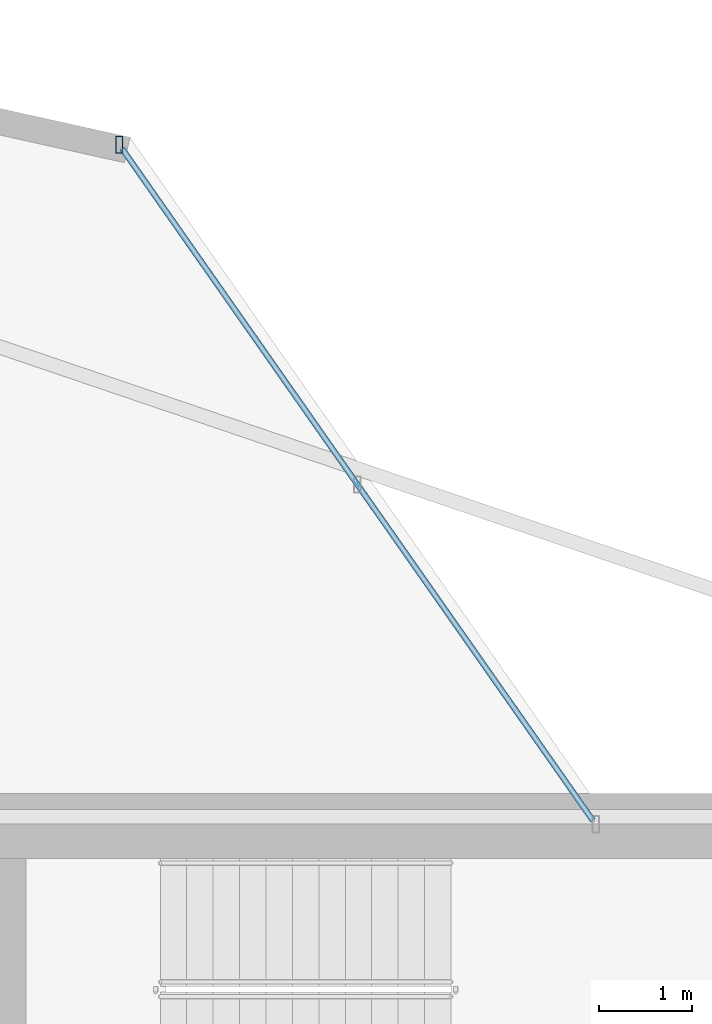
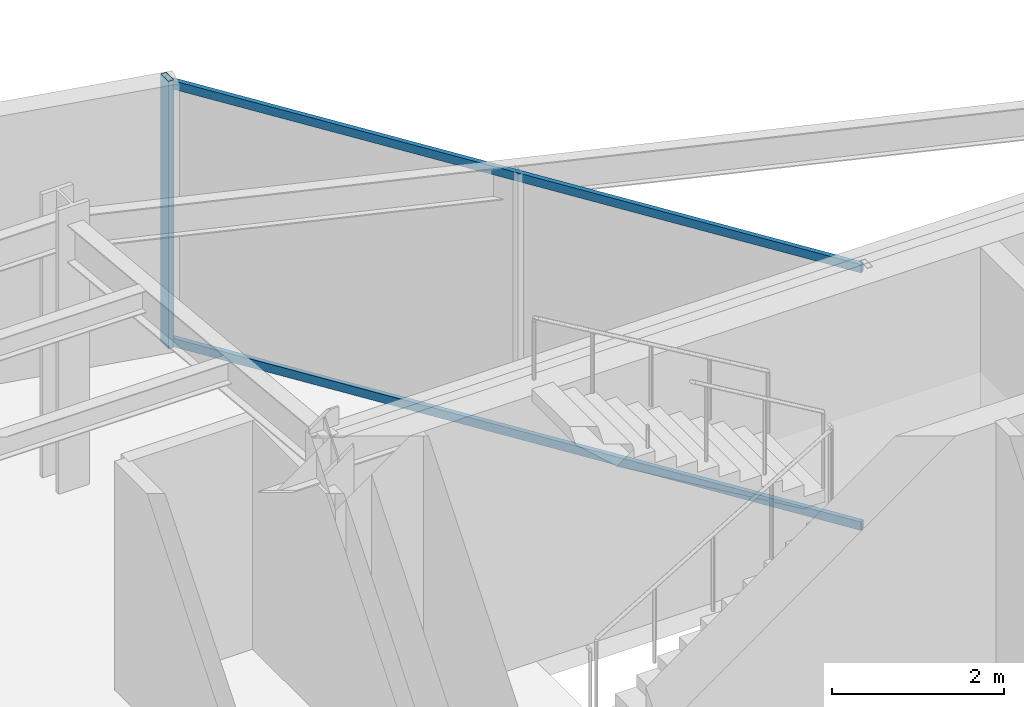
# One storey, part 12 of 24: 3 members, 1 element without a shape of its own.
"""IFC4 building model written with IfcOpenShell, lengths in metres."""

from ifc_helpers import new_model, si_unit, direction, frame, origin, origin_2d, place, context, subcontext, project, spatial, hollow_rectangle, extrude, material, layer, layer_set, material_profile, profile_set, type_object, element, aggregate, save


model = new_model("IFC4")

# Units and contexts
model_context = context("Model", 3, precision=1e-05, world=origin(), true_north=direction((0.0, 1.0)))
body_context = subcontext(model_context, "Body", "Model", "MODEL_VIEW")
ifc_project = project(units=[si_unit("LENGTHUNIT", "METRE"), si_unit("AREAUNIT", "SQUARE_METRE"), si_unit("VOLUMEUNIT", "CUBIC_METRE"), si_unit("PLANEANGLEUNIT", "RADIAN"), si_unit("MASSUNIT", "GRAM", prefix="KILO")], contexts=[model_context])

# Site, building, storey
site_placement = place(None, origin())
site = spatial("IfcSite", under=ifc_project, at=site_placement, CompositionType="ELEMENT")
building_placement = place(site_placement, origin())
building = spatial("IfcBuilding", under=site, at=building_placement, Name="Veymaron Broadcast Tower", CompositionType="ELEMENT")
storey_placement = place(building_placement, frame((0.0, 0.0, 220.199951171875)))
storey = spatial("IfcBuildingStorey", under=building, at=storey_placement, Name="L51", CompositionType="ELEMENT", Elevation=220.199951171875)

# Curtain wall, members
ifc_material_1 = material(Name="Anodised aluminium AA 6063-T6 and laminated low-E dark glass", Category="aluminium")
ifc_layer = layer(ifc_material_1, 0.179931640625)
ifc_layer_set = layer_set([ifc_layer], Name="Anodised aluminium AA 6063-T6 and laminated low-E dark glass")
curtain_wall_type = type_object("IfcCurtainWallType", Name="CW-SYS-05", PredefinedType="NOTDEFINED", material=ifc_layer_set)
curtain_wall_placement = place(storey_placement, origin())
curtain_wall = element("IfcCurtainWall", 1, at=curtain_wall_placement, inside=storey, type_object=curtain_wall_type, Name="L51 dark-glass curtain wall CW-L51-E5-1", PredefinedType="NOTDEFINED")
ifc_material_2 = material(Name="Anodised aluminium AA 6063-T6", Category="aluminium")
ifc_material_profile_1 = material_profile(ifc_material_2, hollow_rectangle(XDim=0.074951171875, YDim=0.179931640625, WallThickness=0.0048828125, at=origin_2d()), Name="AL180X75X5")
ifc_profile_set_1 = profile_set([ifc_material_profile_1], Name="Anodised aluminium AA 6063-T6")
member_type_1 = type_object("IfcMemberType", Name="CW-MUL-02", PredefinedType="MULLION", material=ifc_profile_set_1)
member_1_placement = place(storey_placement, frame((40.98779296875, 39.249755859375, 0.0), z_axis=(0.0, 0.0, 1.0), x_axis=(1.0, 0.0, 0.0)))
member_1 = element("IfcMember", 2, at=member_1_placement, type_object=member_type_1, Name="CW-L51-E5-1 mullion 2", PredefinedType="MULLION", context=body_context, shape_type="SweptSolid", body=[
    extrude(hollow_rectangle(XDim=0.074951171875, YDim=0.179931640625, WallThickness=0.0048828125, at=origin_2d()), origin(), (0.0, 0.0, 1.0), 3.7900390625),
])
ifc_material_profile_2 = material_profile(ifc_material_2, hollow_rectangle(XDim=0.06005859375, YDim=0.1201171875, WallThickness=0.00390625, at=origin_2d()), Name="AL120X60X4")
ifc_profile_set_2 = profile_set([ifc_material_profile_2], Name="Anodised aluminium AA 6063-T6")
member_type_2 = type_object("IfcMemberType", Name="CW-TRN-02", PredefinedType="USERDEFINED", material=ifc_profile_set_2)
member_2_placement = place(storey_placement, frame((46.095947265625, 31.960693359375, 0.070068359375), z_axis=(-0.573913969327, 0.81891559749, 0.0), x_axis=(-0.81891559749, -0.573913969327, 0.0)))
member_2 = element("IfcMember", 3, at=member_2_placement, type_object=member_type_2, Name="CW-L51-E5-1 transom B", ObjectType="TRANSOM", PredefinedType="USERDEFINED", context=body_context, shape_type="SweptSolid", body=[
    extrude(hollow_rectangle(XDim=0.06005859375, YDim=0.1201171875, WallThickness=0.00390625, at=origin_2d()), origin(), (0.0, 0.0, 1.0), 8.850830078125),
])
member_3_placement = place(storey_placement, frame((46.095947265625, 31.960693359375, 3.719970703125), z_axis=(-0.573913969327, 0.81891559749, 0.0), x_axis=(-0.81891559749, -0.573913969327, 0.0)))
member_3 = element("IfcMember", 4, at=member_3_placement, type_object=member_type_2, Name="CW-L51-E5-1 transom T", ObjectType="TRANSOM", PredefinedType="USERDEFINED", context=body_context, shape_type="SweptSolid", body=[
    extrude(hollow_rectangle(XDim=0.06005859375, YDim=0.1201171875, WallThickness=0.00390625, at=origin_2d()), origin(), (0.0, 0.0, 1.0), 8.850830078125),
])
aggregate(curtain_wall, [member_1, member_2, member_3])

save(model, "model.ifc")
